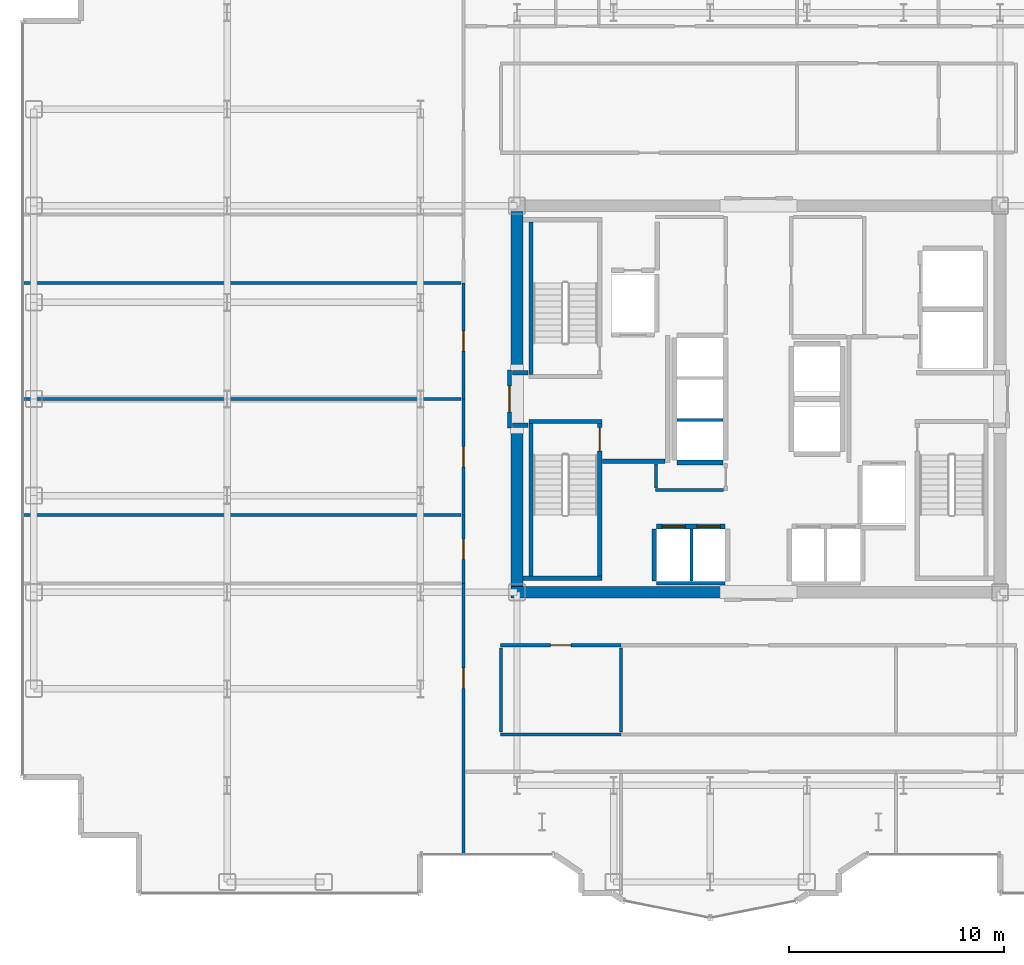
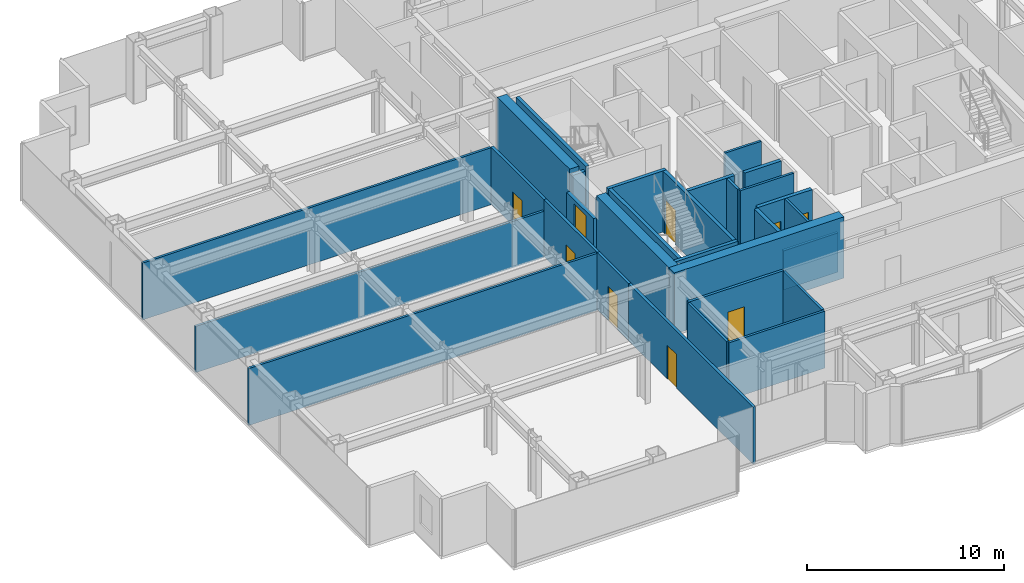
# One storey, part 17 of 23: 31 walls, 9 doors, 9 openings.
"""IFC4 building model written with IfcOpenShell, lengths in metres."""

from ifc_helpers import new_model, si_unit, direction, frame, frame_2d, origin, place, context, subcontext, project, spatial, rectangle, extrude, source, transform, mapped, material, layer, layer_set, type_object, element, fill, save


model = new_model("IFC4")

# Units and contexts
model_context = context("Model", 3, precision=1e-05, world=origin(), true_north=direction((0.0, 1.0)))
body_context = subcontext(model_context, "Body", "Model", "MODEL_VIEW")
ifc_project = project(units=[si_unit("LENGTHUNIT", "METRE"), si_unit("AREAUNIT", "SQUARE_METRE"), si_unit("VOLUMEUNIT", "CUBIC_METRE"), si_unit("PLANEANGLEUNIT", "RADIAN"), si_unit("MASSUNIT", "GRAM", prefix="KILO")], contexts=[model_context])

# Site, building, storey
site_placement = place(None, origin())
site = spatial("IfcSite", under=ifc_project, at=site_placement, CompositionType="ELEMENT")
building_placement = place(site_placement, origin())
building = spatial("IfcBuilding", under=site, at=building_placement, Name="Nefas-Gora Pilgrimage Tower", CompositionType="ELEMENT")
storey_placement = place(building_placement, frame((0.0, 0.0, 190.60009765625)))
storey = spatial("IfcBuildingStorey", under=building, at=storey_placement, Name="L47", CompositionType="ELEMENT", Elevation=190.60009765625)

# Walls
ifc_material_1 = material(Name="Concrete C60/75", Category="concrete")
ifc_layer_1 = layer(ifc_material_1, 0.550048828125)
ifc_layer_set_1 = layer_set([ifc_layer_1], Name="Concrete C60/75")
wall_type_1 = type_object("IfcWallType", Name="SW-CORE-550", PredefinedType="SHEAR", material=ifc_layer_set_1)
shared_shape_1 = source(origin(), body_context, "Body", "SweptSolid", [
    extrude(rectangle(XDim=9.974853515625, YDim=0.550048828125, at=frame_2d((4.9873046875, 0.0))), origin(), (0.0, 0.0, 1.0), 3.7998046875),
])
wall_1_placement = place(storey_placement, frame((-11.52490234375, -9.0, 0.0), z_axis=(0.0, 0.0, 1.0), x_axis=(1.0, 0.0, 0.0)))
element("IfcWall", 1, at=wall_1_placement, inside=storey, type_object=wall_type_1, Name="L47 Core Shear Wall S-West", PredefinedType="SHEAR", context=body_context, shape_type="MappedRepresentation", body=[
    mapped(shared_shape_1, transform((0.0, 0.0, 0.0), x_axis=(1.0, 0.0, 0.0), y_axis=(0.0, 1.0, 0.0), z_axis=(0.0, 0.0, 1.0), scale=1.0)),
])
shared_shape_2 = source(origin(), body_context, "Body", "SweptSolid", [
    extrude(rectangle(XDim=7.375, YDim=0.550048828125, at=frame_2d((3.6875, 0.0))), origin(), (0.0, 0.0, 1.0), 3.7998046875),
])
for number, where, z_axis, x_axis, name in (
    (2, (-11.25, -8.72509765625, 0.0), (0.0, 0.0, 1.0), (0.0, 1.0, 0.0), "L47 Core Shear Wall W-South"),
    (3, (-11.25, 1.35009765625, 0.0), (0.0, 0.0, 1.0), (0.0, 1.0, 0.0), "L47 Core Shear Wall W-North"),
):
    element("IfcWall", number, at=place(storey_placement, frame(where, z_axis=z_axis, x_axis=x_axis)), inside=storey, type_object=wall_type_1, Name=name, PredefinedType="SHEAR", context=body_context, shape_type="MappedRepresentation", body=[
        mapped(shared_shape_2, transform((0.0, 0.0, 0.0), x_axis=(1.0, 0.0, 0.0), y_axis=(0.0, 1.0, 0.0), z_axis=(0.0, 0.0, 1.0), scale=1.0)),
    ])
ifc_material_2 = material(Name="Concrete C45/55", Category="concrete")
ifc_layer_2 = layer(ifc_material_2, 0.199951171875)
ifc_layer_set_2 = layer_set([ifc_layer_2], Name="Concrete C45/55")
wall_type_2 = type_object("IfcWallType", Name="IW-STAIR-200", PredefinedType="SOLIDWALL", material=ifc_layer_set_2)
shared_shape_3 = source(origin(), body_context, "Body", "SweptSolid", [
    extrude(rectangle(XDim=3.39990234375, YDim=0.199951171875, at=frame_2d((1.699951171875, 0.0))), origin(), (0.0, 0.0, 1.0), 3.7998046875),
])
wall_2_placement = place(storey_placement, frame((-10.699951171875, -1.050048828125, 0.0), z_axis=(0.0, 0.0, 1.0), x_axis=(1.0, 0.0, 0.0)))
element("IfcWall", 4, at=wall_2_placement, inside=storey, type_object=wall_type_2, Name="L47 Stairwell Shear Wall ST-03-near", PredefinedType="SOLIDWALL", context=body_context, shape_type="MappedRepresentation", body=[
    mapped(shared_shape_3, transform((0.0, 0.0, 0.0), x_axis=(1.0, 0.0, 0.0), y_axis=(0.0, 1.0, 0.0), z_axis=(0.0, 0.0, 1.0), scale=1.0)),
])
shared_shape_4 = source(origin(), body_context, "Body", "SweptSolid", [
    extrude(rectangle(XDim=7.10009765625, YDim=0.199951171875, at=frame_2d((3.550048828125, 0.0))), origin(), (0.0, 0.0, 1.0), 3.7998046875),
])
for number, where, z_axis, x_axis, name in (
    (5, (-10.60009765625, 1.14990234375, 0.0), (0.0, 0.0, 1.0), (0.0, 1.0, 0.0), "L47 Stairwell Shear Wall ST-01-right"),
    (6, (-10.60009765625, -1.14990234375, 0.0), (0.0, 0.0, 1.0), (0.0, -1.0, 0.0), "L47 Stairwell Shear Wall ST-03-left"),
):
    element("IfcWall", number, at=place(storey_placement, frame(where, z_axis=z_axis, x_axis=x_axis)), inside=storey, type_object=wall_type_2, Name=name, PredefinedType="SOLIDWALL", context=body_context, shape_type="MappedRepresentation", body=[
        mapped(shared_shape_4, transform((0.0, 0.0, 0.0), x_axis=(1.0, 0.0, 0.0), y_axis=(0.0, 1.0, 0.0), z_axis=(0.0, 0.0, 1.0), scale=1.0)),
    ])

# Wall, opening, door
wall_3_placement = place(storey_placement, frame((-7.39990234375, -1.14990234375, 0.0), z_axis=(0.0, 0.0, 1.0), x_axis=(0.0, -1.0, 0.0)))
wall_3 = element("IfcWall", 7, at=wall_3_placement, inside=storey, type_object=wall_type_2, Name="L47 Stairwell Shear Wall ST-03-right", PredefinedType="SOLIDWALL", context=body_context, shape_type="MappedRepresentation", body=[
    mapped(shared_shape_4, transform((0.0, 0.0, 0.0), x_axis=(1.0, 0.0, 0.0), y_axis=(0.0, 1.0, 0.0), z_axis=(0.0, 0.0, 1.0), scale=1.0)),
])
opening_1_placement = place(wall_3_placement, frame((0.179931640625, 0.0, 0.0)))
opening_1 = element("IfcOpeningElement", 8, at=opening_1_placement, cuts=wall_3, Name="Opening ID-ST1", PredefinedType="OPENING", context=body_context, shape_type="SweptSolid", body=[
    extrude(rectangle(XDim=1.10009765625, YDim=2.14990234375, at=frame_2d((0.550048828125, 1.074951171875))), frame((0.0, 0.10986328125, 0.0), z_axis=(0.0, -1.0, 0.0), x_axis=(1.0, 0.0, 0.0)), (0.0, 0.0, 1.0), 0.219970703125),
])
ifc_material_3 = material(Name="Painted galvanised steel fire stair door", Category="steel")
door_type_1 = type_object("IfcDoorType", Name="DR-INT-STAIR-1100", OperationType="NOTDEFINED", PredefinedType="DOOR", material=ifc_material_3)
shared_shape_5 = source(origin(), body_context, "Body", "SweptSolid", [
    extrude(rectangle(XDim=1.10009765625, YDim=2.14990234375, at=frame_2d((0.550048828125, 1.074951171875))), frame((0.0, 0.02490234375, 0.0), z_axis=(0.0, -1.0, 0.0), x_axis=(1.0, 0.0, 0.0)), (0.0, 0.0, 1.0), 0.050048828125),
])
door_1_placement = place(opening_1_placement, origin())
door_1 = element("IfcDoor", 9, at=door_1_placement, inside=storey, type_object=door_type_1, Name="L47 Protected Exit Stair Door ST-03", OperationType="SINGLE_SWING_LEFT", OverallHeight=2.14990234375, OverallWidth=1.10009765625, PredefinedType="DOOR", context=body_context, shape_type="MappedRepresentation", body=[
    mapped(shared_shape_5, transform((0.0, 0.0, 0.0), x_axis=(1.0, 0.0, 0.0), y_axis=(0.0, 1.0, 0.0), z_axis=(0.0, 0.0, 1.0), scale=1.0)),
])
fill(opening_1, door_1)

# Wall
shared_shape_6 = source(origin(), body_context, "Body", "SweptSolid", [
    extrude(rectangle(XDim=3.679931640625, YDim=0.199951171875, at=frame_2d((1.83984375, 0.0))), origin(), (0.0, 0.0, 1.0), 3.7998046875),
])
wall_4_placement = place(storey_placement, frame((-10.97998046875, -8.35009765625, 0.0), z_axis=(0.0, 0.0, 1.0), x_axis=(1.0, 0.0, 0.0)))
element("IfcWall", 10, at=wall_4_placement, inside=storey, type_object=wall_type_2, Name="L47 Stairwell Shear Wall ST-03-far", PredefinedType="SOLIDWALL", context=body_context, shape_type="MappedRepresentation", body=[
    mapped(shared_shape_6, transform((0.0, 0.0, 0.0), x_axis=(1.0, 0.0, 0.0), y_axis=(0.0, 1.0, 0.0), z_axis=(0.0, 0.0, 1.0), scale=1.0)),
])

# Wall, openings, doors
ifc_material_4 = material(Name="Concrete C40/50", Category="concrete")
ifc_layer_3 = layer(ifc_material_4, 0.219970703125)
ifc_layer_set_3 = layer_set([ifc_layer_3], Name="Concrete C40/50")
wall_type_3 = type_object("IfcWallType", Name="IW-SHAFT-220", PredefinedType="SOLIDWALL", material=ifc_layer_set_3)
shared_shape_7 = source(origin(), body_context, "Body", "SweptSolid", [
    extrude(rectangle(XDim=3.199951171875, YDim=0.219970703125, at=frame_2d((1.60009765625, 0.0))), origin(), (0.0, 0.0, 1.0), 3.534912109375),
])
wall_5_placement = place(storey_placement, frame((-1.550048828125, -5.93994140625, 0.0), z_axis=(0.0, 0.0, 1.0), x_axis=(-1.0, 0.0, 0.0)))
wall_5 = element("IfcWall", 11, at=wall_5_placement, inside=storey, type_object=wall_type_3, Name="L47 Hoistway Wall PL2-W-N", PredefinedType="SOLIDWALL", context=body_context, shape_type="MappedRepresentation", body=[
    mapped(shared_shape_7, transform((0.0, 0.0, 0.0), x_axis=(1.0, 0.0, 0.0), y_axis=(0.0, 1.0, 0.0), z_axis=(0.0, 0.0, 1.0), scale=1.0)),
])
opening_2_placement = place(wall_5_placement, frame((1.85009765625, 0.0, 0.0)))
opening_2 = element("IfcOpeningElement", 12, at=opening_2_placement, cuts=wall_5, Name="Opening LD-01", PredefinedType="OPENING", context=body_context, shape_type="SweptSolid", body=[
    extrude(rectangle(XDim=1.10009765625, YDim=2.199951171875, at=frame_2d((0.550048828125, 1.10009765625))), frame((0.0, 0.119873046875, 0.0), z_axis=(0.0, -1.0, 0.0), x_axis=(1.0, 0.0, 0.0)), (0.0, 0.0, 1.0), 0.239990234375),
])
opening_3_placement = place(wall_5_placement, frame((0.22509765625, 0.0, 0.0)))
opening_3 = element("IfcOpeningElement", 13, at=opening_3_placement, cuts=wall_5, Name="Opening LD-01", PredefinedType="OPENING", context=body_context, shape_type="SweptSolid", body=[
    extrude(rectangle(XDim=1.10009765625, YDim=2.199951171875, at=frame_2d((0.550048828125, 1.10009765625))), frame((0.0, 0.119873046875, 0.0), z_axis=(0.0, -1.0, 0.0), x_axis=(1.0, 0.0, 0.0)), (0.0, 0.0, 1.0), 0.239990234375),
])
ifc_material_5 = material(Name="Brushed stainless sliding lift landing door")
door_type_2 = type_object("IfcDoorType", Name="DR-LIFT-PASS-1100", OperationType="DOUBLE_DOOR_SLIDING", PredefinedType="DOOR", material=ifc_material_5)
shared_shape_8 = source(origin(), body_context, "Body", "SweptSolid", [
    extrude(rectangle(XDim=1.10009765625, YDim=2.199951171875, at=frame_2d((0.550048828125, 1.10009765625))), frame((0.0, 0.02490234375, 0.0), z_axis=(0.0, -1.0, 0.0), x_axis=(1.0, 0.0, 0.0)), (0.0, 0.0, 1.0), 0.050048828125),
])
door_2_placement = place(opening_2_placement, origin())
door_2 = element("IfcDoor", 14, at=door_2_placement, inside=storey, type_object=door_type_2, Name="L47 Sliding Lift Landing Door PL2-01", OperationType="DOUBLE_DOOR_SLIDING", OverallHeight=2.199951171875, OverallWidth=1.10009765625, PredefinedType="DOOR", context=body_context, shape_type="MappedRepresentation", body=[
    mapped(shared_shape_8, transform((0.0, 0.0, 0.0), x_axis=(1.0, 0.0, 0.0), y_axis=(0.0, 1.0, 0.0), z_axis=(0.0, 0.0, 1.0), scale=1.0)),
])
fill(opening_2, door_2)
door_3_placement = place(opening_3_placement, origin())
door_3 = element("IfcDoor", 15, at=door_3_placement, inside=storey, type_object=door_type_2, Name="L47 Sliding Lift Landing Door PL2-02", OperationType="DOUBLE_DOOR_SLIDING", OverallHeight=2.199951171875, OverallWidth=1.10009765625, PredefinedType="DOOR", context=body_context, shape_type="MappedRepresentation", body=[
    mapped(shared_shape_8, transform((0.0, 0.0, 0.0), x_axis=(1.0, 0.0, 0.0), y_axis=(0.0, 1.0, 0.0), z_axis=(0.0, 0.0, 1.0), scale=1.0)),
])
fill(opening_3, door_3)

# Walls
shared_shape_9 = source(origin(), body_context, "Body", "SweptSolid", [
    extrude(rectangle(XDim=2.429931640625, YDim=0.219970703125, at=frame_2d((1.21484375, 0.0))), origin(), (0.0, 0.0, 1.0), 3.534912109375),
])
wall_6_placement = place(storey_placement, frame((-4.860107421875, -6.06005859375, 0.0), z_axis=(0.0, 0.0, 1.0), x_axis=(0.0, -1.0, 0.0)))
element("IfcWall", 16, at=wall_6_placement, inside=storey, type_object=wall_type_3, Name="L47 Hoistway Wall PL2-W-W", PredefinedType="SOLIDWALL", context=body_context, shape_type="MappedRepresentation", body=[
    mapped(shared_shape_9, transform((0.0, 0.0, 0.0), x_axis=(1.0, 0.0, 0.0), y_axis=(0.0, 1.0, 0.0), z_axis=(0.0, 0.0, 1.0), scale=1.0)),
])
ifc_material_6 = material(Name="Gypsum twin-stud partition")
ifc_layer_4 = layer(ifc_material_6, 0.139892578125)
ifc_layer_set_4 = layer_set([ifc_layer_4], Name="Gypsum twin-stud partition")
wall_type_4 = type_object("IfcWallType", Name="IW-UNIT-140", PredefinedType="PARTITIONING", material=ifc_layer_set_4)
shared_shape_10 = source(origin(), body_context, "Body", "SweptSolid", [
    extrude(rectangle(XDim=2.429931640625, YDim=0.139892578125, at=frame_2d((1.21484375, 0.0))), origin(), (0.0, 0.0, 1.0), 3.534912109375),
])
wall_7_placement = place(storey_placement, frame((-3.125, -8.489990234375, 0.0), z_axis=(0.0, 0.0, 1.0), x_axis=(0.0, 1.0, 0.0)))
element("IfcWall", 17, at=wall_7_placement, inside=storey, type_object=wall_type_4, Name="L47 Hoistway Wall PL2-W-DIV", PredefinedType="PARTITIONING", context=body_context, shape_type="MappedRepresentation", body=[
    mapped(shared_shape_10, transform((0.0, 0.0, 0.0), x_axis=(1.0, 0.0, 0.0), y_axis=(0.0, 1.0, 0.0), z_axis=(0.0, 0.0, 1.0), scale=1.0)),
])
shared_shape_11 = source(origin(), body_context, "Body", "SweptSolid", [
    extrude(rectangle(XDim=2.130126953125, YDim=0.219970703125, at=frame_2d((1.06494140625, 0.0))), origin(), (0.0, 0.0, 1.0), 3.534912109375),
])
wall_8_placement = place(storey_placement, frame((-3.7900390625, -2.9599609375, 0.0), z_axis=(0.0, 0.0, 1.0), x_axis=(1.0, 0.0, 0.0)))
element("IfcWall", 18, at=wall_8_placement, inside=storey, type_object=wall_type_3, Name="L47 Hoistway Wall PL3-01-S", PredefinedType="SOLIDWALL", context=body_context, shape_type="MappedRepresentation", body=[
    mapped(shared_shape_11, transform((0.0, 0.0, 0.0), x_axis=(1.0, 0.0, 0.0), y_axis=(0.0, 1.0, 0.0), z_axis=(0.0, 0.0, 1.0), scale=1.0)),
])
shared_shape_12 = source(origin(), body_context, "Body", "SweptSolid", [
    extrude(rectangle(XDim=2.130126953125, YDim=0.139892578125, at=frame_2d((1.06494140625, 0.0))), origin(), (0.0, 0.0, 1.0), 3.534912109375),
])
wall_9_placement = place(storey_placement, frame((-3.7900390625, -0.97509765625, 0.0), z_axis=(0.0, 0.0, 1.0), x_axis=(1.0, 0.0, 0.0)))
element("IfcWall", 19, at=wall_9_placement, inside=storey, type_object=wall_type_4, Name="L47 Hoistway Wall PL3-01-02-DIV", PredefinedType="PARTITIONING", context=body_context, shape_type="MappedRepresentation", body=[
    mapped(shared_shape_12, transform((0.0, 0.0, 0.0), x_axis=(1.0, 0.0, 0.0), y_axis=(0.0, 1.0, 0.0), z_axis=(0.0, 0.0, 1.0), scale=1.0)),
])
ifc_material_7 = material(Name="Gypsum acoustic stud partition")
ifc_layer_5 = layer(ifc_material_7, 0.159912109375)
ifc_layer_set_5 = layer_set([ifc_layer_5], Name="Gypsum acoustic stud partition")
wall_type_5 = type_object("IfcWallType", Name="IW-CORR-160", PredefinedType="PARTITIONING", material=ifc_layer_set_5)
shared_shape_13 = source(origin(), body_context, "Body", "SweptSolid", [
    extrude(rectangle(XDim=3.199951171875, YDim=0.159912109375, at=frame_2d((1.60009765625, 0.0))), origin(), (0.0, 0.0, 1.0), 2.4248046875),
])
wall_10_placement = place(storey_placement, frame((-4.75, -8.580078125, 0.0), z_axis=(0.0, 0.0, 1.0), x_axis=(1.0, 0.0, 0.0)))
element("IfcWall", 20, at=wall_10_placement, inside=storey, type_object=wall_type_5, Name="L47 Hoistway Wall PL2-W-S", PredefinedType="PARTITIONING", context=body_context, shape_type="MappedRepresentation", body=[
    mapped(shared_shape_13, transform((0.0, 0.0, 0.0), x_axis=(1.0, 0.0, 0.0), y_axis=(0.0, 1.0, 0.0), z_axis=(0.0, 0.0, 1.0), scale=1.0)),
])
ifc_material_8 = material(Name="Gypsum fire-rated shaftwall")
ifc_layer_6 = layer(ifc_material_8, 0.199951171875)
ifc_layer_set_6 = layer_set([ifc_layer_6], Name="Gypsum fire-rated shaftwall")
wall_type_6 = type_object("IfcWallType", Name="IW-FFLOB-200", PredefinedType="PARTITIONING", material=ifc_layer_set_6)
shared_shape_14 = source(origin(), body_context, "Body", "SweptSolid", [
    extrude(rectangle(XDim=2.89990234375, YDim=0.199951171875, at=frame_2d((1.449951171875, 0.0))), origin(), (0.0, 0.0, 1.0), 3.534912109375),
])
wall_11_placement = place(storey_placement, frame((-7.260009765625, -2.89990234375, 0.0), z_axis=(0.0, 0.0, 1.0), x_axis=(1.0, 0.0, 0.0)))
element("IfcWall", 21, at=wall_11_placement, inside=storey, type_object=wall_type_6, Name="L47 FF Lobby West South Wall Wall 6", PredefinedType="PARTITIONING", context=body_context, shape_type="MappedRepresentation", body=[
    mapped(shared_shape_14, transform((0.0, 0.0, 0.0), x_axis=(1.0, 0.0, 0.0), y_axis=(0.0, 1.0, 0.0), z_axis=(0.0, 0.0, 1.0), scale=1.0)),
])
shared_shape_15 = source(origin(), body_context, "Body", "SweptSolid", [
    extrude(rectangle(XDim=0.719970703125, YDim=0.199951171875, at=frame_2d((0.35986328125, 0.0))), origin(), (0.0, 0.0, 1.0), 3.534912109375),
])
for number, where, z_axis, x_axis, name in (
    (22, (-11.4599609375, 1.219970703125, 0.0), (0.0, 0.0, 1.0), (1.0, 0.0, 0.0), "L47 FF Lobby West Throat N Wall 7"),
    (23, (-11.4599609375, -1.219970703125, 0.0), (0.0, 0.0, 1.0), (1.0, 0.0, 0.0), "L47 FF Lobby West Throat S Wall 8"),
):
    element("IfcWall", number, at=place(storey_placement, frame(where, z_axis=z_axis, x_axis=x_axis)), inside=storey, type_object=wall_type_6, Name=name, PredefinedType="PARTITIONING", context=body_context, shape_type="MappedRepresentation", body=[
        mapped(shared_shape_15, transform((0.0, 0.0, 0.0), x_axis=(1.0, 0.0, 0.0), y_axis=(0.0, 1.0, 0.0), z_axis=(0.0, 0.0, 1.0), scale=1.0)),
    ])
shared_shape_16 = source(origin(), body_context, "Body", "SweptSolid", [
    extrude(rectangle(XDim=20.429931640625, YDim=0.139892578125, at=frame_2d((10.21484375, 0.0))), origin(), (0.0, 0.0, 1.0), 3.534912109375),
])
for number, where, z_axis, x_axis, name in (
    (24, (-34.2900390625, -5.405029296875, 0.0), (0.0, 0.0, 1.0), (1.0, 0.0, 0.0), "L47 Pilgrim Floor Concierge Foyer Partition Wall 31"),
    (25, (-34.2900390625, 5.39501953125, 0.0), (0.0, 0.0, 1.0), (1.0, 0.0, 0.0), "L47 Pilgrim Tea and Beverage Pantry Partition Wall 35"),
):
    element("IfcWall", number, at=place(storey_placement, frame(where, z_axis=z_axis, x_axis=x_axis)), inside=storey, type_object=wall_type_4, Name=name, PredefinedType="PARTITIONING", context=body_context, shape_type="MappedRepresentation", body=[
        mapped(shared_shape_16, transform((0.0, 0.0, 0.0), x_axis=(1.0, 0.0, 0.0), y_axis=(0.0, 1.0, 0.0), z_axis=(0.0, 0.0, 1.0), scale=1.0)),
    ])

# Wall, opening, door
shared_shape_17 = source(origin(), body_context, "Body", "SweptSolid", [
    extrude(rectangle(XDim=2.7001953125, YDim=0.199951171875, at=frame_2d((1.35009765625, 0.0))), origin(), (0.0, 0.0, 1.0), 2.4248046875),
])
wall_12_placement = place(storey_placement, frame((-11.60009765625, -1.35009765625, 0.0), z_axis=(0.0, 0.0, 1.0), x_axis=(0.0, 1.0, 0.0)))
wall_12 = element("IfcWall", 26, at=wall_12_placement, inside=storey, type_object=wall_type_6, Name="L47 FF Lobby West Portal Wall 4", PredefinedType="PARTITIONING", context=body_context, shape_type="MappedRepresentation", body=[
    mapped(shared_shape_17, transform((0.0, 0.0, 0.0), x_axis=(1.0, 0.0, 0.0), y_axis=(0.0, 1.0, 0.0), z_axis=(0.0, 0.0, 1.0), scale=1.0)),
])
opening_4_placement = place(wall_12_placement, frame((0.75, 0.0, 0.0)))
opening_4 = element("IfcOpeningElement", 27, at=opening_4_placement, cuts=wall_12, Name="Opening ID-FF1", PredefinedType="OPENING", context=body_context, shape_type="SweptSolid", body=[
    extrude(rectangle(XDim=1.199951171875, YDim=2.14990234375, at=frame_2d((0.60009765625, 1.074951171875))), frame((0.0, 0.10986328125, 0.0), z_axis=(0.0, -1.0, 0.0), x_axis=(1.0, 0.0, 0.0)), (0.0, 0.0, 1.0), 0.219970703125),
])
ifc_material_9 = material(Name="Smoke-sealed steel firefighting lobby door", Category="steel")
door_type_3 = type_object("IfcDoorType", Name="DR-INT-FFLOB-1200", OperationType="NOTDEFINED", PredefinedType="DOOR", material=ifc_material_9)
shared_shape_18 = source(origin(), body_context, "Body", "SweptSolid", [
    extrude(rectangle(XDim=1.199951171875, YDim=2.14990234375, at=frame_2d((0.60009765625, 1.074951171875))), frame((0.0, 0.02490234375, 0.0), z_axis=(0.0, -1.0, 0.0), x_axis=(1.0, 0.0, 0.0)), (0.0, 0.0, 1.0), 0.050048828125),
])
door_4_placement = place(opening_4_placement, origin())
door_4 = element("IfcDoor", 28, at=door_4_placement, inside=storey, type_object=door_type_3, Name="L47 FF Lobby West Portal Door 2", OperationType="SINGLE_SWING_LEFT", OverallHeight=2.14990234375, OverallWidth=1.199951171875, PredefinedType="DOOR", context=body_context, shape_type="MappedRepresentation", body=[
    mapped(shared_shape_18, transform((0.0, 0.0, 0.0), x_axis=(1.0, 0.0, 0.0), y_axis=(0.0, 1.0, 0.0), z_axis=(0.0, 0.0, 1.0), scale=1.0)),
])
fill(opening_4, door_4)

# Wall
shared_shape_19 = source(origin(), body_context, "Body", "SweptSolid", [
    extrude(rectangle(XDim=3.150146484375, YDim=0.139892578125, at=frame_2d((1.5751953125, 0.0))), origin(), (0.0, 0.0, 1.0), 3.534912109375),
])
wall_13_placement = place(storey_placement, frame((-4.7900390625, -4.25, 0.0), z_axis=(0.0, 0.0, 1.0), x_axis=(1.0, 0.0, 0.0)))
element("IfcWall", 29, at=wall_13_placement, inside=storey, type_object=wall_type_4, Name="L47 Pilgrim Baggage and Gear Vault Partition Wall 21", PredefinedType="PARTITIONING", context=body_context, shape_type="MappedRepresentation", body=[
    mapped(shared_shape_19, transform((0.0, 0.0, 0.0), x_axis=(1.0, 0.0, 0.0), y_axis=(0.0, 1.0, 0.0), z_axis=(0.0, 0.0, 1.0), scale=1.0)),
])

# Wall, opening, door
shared_shape_20 = source(origin(), body_context, "Body", "SweptSolid", [
    extrude(rectangle(XDim=12.64501953125, YDim=0.159912109375, at=frame_2d((6.322509765625, 0.0))), origin(), (0.0, 0.0, 1.0), 3.534912109375),
])
wall_14_placement = place(storey_placement, frame((-13.739990234375, -21.239990234375, 0.0), z_axis=(0.0, 0.0, 1.0), x_axis=(0.0, 1.0, 0.0)))
wall_14 = element("IfcWall", 30, at=wall_14_placement, inside=storey, type_object=wall_type_5, Name="L47 Pilgrim Floor Concierge Foyer Partition Wall 28", PredefinedType="PARTITIONING", context=body_context, shape_type="MappedRepresentation", body=[
    mapped(shared_shape_20, transform((0.0, 0.0, 0.0), x_axis=(1.0, 0.0, 0.0), y_axis=(0.0, 1.0, 0.0), z_axis=(0.0, 0.0, 1.0), scale=1.0)),
])
opening_5_placement = place(wall_14_placement, frame((7.762451171875, 0.0, 0.0)))
opening_5 = element("IfcOpeningElement", 31, at=opening_5_placement, cuts=wall_14, Name="Opening ID-GR1", PredefinedType="OPENING", context=body_context, shape_type="SweptSolid", body=[
    extrude(rectangle(XDim=0.949951171875, YDim=2.10009765625, at=frame_2d((0.47509765625, 1.050048828125))), frame((0.0, 0.08984375, 0.0), z_axis=(0.0, -1.0, 0.0), x_axis=(1.0, 0.0, 0.0)), (0.0, 0.0, 1.0), 0.179931640625),
])
ifc_material_10 = material(Name="Solid core oak fire-rated guest entrance door")
door_type_4 = type_object("IfcDoorType", Name="DR-INT-GUEST-950", OperationType="NOTDEFINED", PredefinedType="DOOR", material=ifc_material_10)
shared_shape_21 = source(origin(), body_context, "Body", "SweptSolid", [
    extrude(rectangle(XDim=0.949951171875, YDim=2.10009765625, at=frame_2d((0.47509765625, 1.050048828125))), frame((0.0, 0.02490234375, 0.0), z_axis=(0.0, -1.0, 0.0), x_axis=(1.0, 0.0, 0.0)), (0.0, 0.0, 1.0), 0.050048828125),
])
door_5_placement = place(opening_5_placement, origin())
door_5 = element("IfcDoor", 32, at=door_5_placement, inside=storey, type_object=door_type_4, Name="L47 Pilgrim Floor Concierge Foyer Door 11", OperationType="SINGLE_SWING_RIGHT", OverallHeight=2.10009765625, OverallWidth=0.949951171875, PredefinedType="DOOR", context=body_context, shape_type="MappedRepresentation", body=[
    mapped(shared_shape_21, transform((0.0, 0.0, 0.0), x_axis=(1.0, 0.0, 0.0), y_axis=(0.0, 1.0, 0.0), z_axis=(0.0, 0.0, 1.0), scale=1.0)),
])
fill(opening_5, door_5)

shared_shape_22 = source(origin(), body_context, "Body", "SweptSolid", [
    extrude(rectangle(XDim=3.2099609375, YDim=0.159912109375, at=frame_2d((1.60498046875, 0.0))), origin(), (0.0, 0.0, 1.0), 3.534912109375),
])
wall_15_placement = place(storey_placement, frame((-13.739990234375, -8.60498046875, 0.0), z_axis=(0.0, 0.0, 1.0), x_axis=(0.0, 1.0, 0.0)))
wall_15 = element("IfcWall", 33, at=wall_15_placement, inside=storey, type_object=wall_type_5, Name="L47 Pilgrim Floor Concierge Foyer Partition Wall 30", PredefinedType="PARTITIONING", context=body_context, shape_type="MappedRepresentation", body=[
    mapped(shared_shape_22, transform((0.0, 0.0, 0.0), x_axis=(1.0, 0.0, 0.0), y_axis=(0.0, 1.0, 0.0), z_axis=(0.0, 0.0, 1.0), scale=1.0)),
])
opening_6_placement = place(wall_15_placement, frame((1.1298828125, 0.0, 0.0)))
opening_6 = element("IfcOpeningElement", 34, at=opening_6_placement, cuts=wall_15, Name="Opening ID-GR1", PredefinedType="OPENING", context=body_context, shape_type="SweptSolid", body=[
    extrude(rectangle(XDim=0.949951171875, YDim=2.10009765625, at=frame_2d((0.47509765625, 1.050048828125))), frame((0.0, 0.08984375, 0.0), z_axis=(0.0, -1.0, 0.0), x_axis=(1.0, 0.0, 0.0)), (0.0, 0.0, 1.0), 0.179931640625),
])
door_6_placement = place(opening_6_placement, origin())
door_6 = element("IfcDoor", 35, at=door_6_placement, inside=storey, type_object=door_type_4, Name="L47 Pilgrim Floor Concierge Foyer Door 12", OperationType="SINGLE_SWING_LEFT", OverallHeight=2.10009765625, OverallWidth=0.949951171875, PredefinedType="DOOR", context=body_context, shape_type="MappedRepresentation", body=[
    mapped(shared_shape_21, transform((0.0, 0.0, 0.0), x_axis=(1.0, 0.0, 0.0), y_axis=(0.0, 1.0, 0.0), z_axis=(0.0, 0.0, 1.0), scale=1.0)),
])
fill(opening_6, door_6)

# Walls
shared_shape_23 = source(origin(), body_context, "Body", "SweptSolid", [
    extrude(rectangle(XDim=20.429931640625, YDim=0.139892578125, at=frame_2d((10.21484375, 0.0))), origin(), (0.0, 0.0, 1.0), 2.875),
])
wall_16_placement = place(storey_placement, frame((-34.2900390625, -0.0048828125, 0.0), z_axis=(0.0, 0.0, 1.0), x_axis=(1.0, 0.0, 0.0)))
element("IfcWall", 36, at=wall_16_placement, inside=storey, type_object=wall_type_4, Name="L47 Pilgrim Floor Concierge Foyer Partition Wall 33", PredefinedType="PARTITIONING", context=body_context, shape_type="MappedRepresentation", body=[
    mapped(shared_shape_23, transform((0.0, 0.0, 0.0), x_axis=(1.0, 0.0, 0.0), y_axis=(0.0, 1.0, 0.0), z_axis=(0.0, 0.0, 1.0), scale=1.0)),
])
shared_shape_24 = source(origin(), body_context, "Body", "SweptSolid", [
    extrude(rectangle(XDim=1.099853515625, YDim=0.139892578125, at=frame_2d((0.5498046875, 0.0))), origin(), (0.0, 0.0, 1.0), 3.534912109375),
])
wall_17_placement = place(storey_placement, frame((-4.780029296875, -4.139892578125, 0.0), z_axis=(0.0, 0.0, 1.0), x_axis=(0.0, 1.0, 0.0)))
element("IfcWall", 37, at=wall_17_placement, inside=storey, type_object=wall_type_4, Name="L47 Pilgrim Baggage and Gear Vault Partition Wall 22", PredefinedType="PARTITIONING", context=body_context, shape_type="MappedRepresentation", body=[
    mapped(shared_shape_24, transform((0.0, 0.0, 0.0), x_axis=(1.0, 0.0, 0.0), y_axis=(0.0, 1.0, 0.0), z_axis=(0.0, 0.0, 1.0), scale=1.0)),
])
shared_shape_25 = source(origin(), body_context, "Body", "SweptSolid", [
    extrude(rectangle(XDim=3.929931640625, YDim=0.139892578125, at=frame_2d((1.96484375, 0.0))), origin(), (0.0, 0.0, 1.0), 3.534912109375),
])
for number, where, z_axis, x_axis, name in (
    (38, (-12.0, -15.52001953125, 0.0), (0.0, 0.0, 1.0), (0.0, 1.0, 0.0), "L47 Pilgrim Contemplative Lounge Partition Wall 68"),
    (39, (-6.405029296875, -15.52001953125, 0.0), (0.0, 0.0, 1.0), (0.0, 1.0, 0.0), "L47 Pilgrim Contemplative Lounge Partition Wall 69"),
):
    element("IfcWall", number, at=place(storey_placement, frame(where, z_axis=z_axis, x_axis=x_axis)), inside=storey, type_object=wall_type_4, Name=name, PredefinedType="PARTITIONING", context=body_context, shape_type="MappedRepresentation", body=[
        mapped(shared_shape_25, transform((0.0, 0.0, 0.0), x_axis=(1.0, 0.0, 0.0), y_axis=(0.0, 1.0, 0.0), z_axis=(0.0, 0.0, 1.0), scale=1.0)),
    ])

# Wall, opening, door
shared_shape_26 = source(origin(), body_context, "Body", "SweptSolid", [
    extrude(rectangle(XDim=5.409912109375, YDim=0.159912109375, at=frame_2d((2.705078125, 0.0))), origin(), (0.0, 0.0, 1.0), 3.534912109375),
])
wall_18_placement = place(storey_placement, frame((-13.739990234375, -5.405029296875, 0.0), z_axis=(0.0, 0.0, 1.0), x_axis=(0.0, 1.0, 0.0)))
wall_18 = element("IfcWall", 40, at=wall_18_placement, inside=storey, type_object=wall_type_5, Name="L47 Pilgrim Floor Concierge Foyer Partition Wall 32", PredefinedType="PARTITIONING", context=body_context, shape_type="MappedRepresentation", body=[
    mapped(shared_shape_26, transform((0.0, 0.0, 0.0), x_axis=(1.0, 0.0, 0.0), y_axis=(0.0, 1.0, 0.0), z_axis=(0.0, 0.0, 1.0), scale=1.0)),
])
opening_7_placement = place(wall_18_placement, frame((2.22998046875, 0.0, 0.0)))
opening_7 = element("IfcOpeningElement", 41, at=opening_7_placement, cuts=wall_18, Name="Opening ID-GR1", PredefinedType="OPENING", context=body_context, shape_type="SweptSolid", body=[
    extrude(rectangle(XDim=0.949951171875, YDim=2.10009765625, at=frame_2d((0.47509765625, 1.050048828125))), frame((0.0, 0.08984375, 0.0), z_axis=(0.0, -1.0, 0.0), x_axis=(1.0, 0.0, 0.0)), (0.0, 0.0, 1.0), 0.179931640625),
])
door_7_placement = place(opening_7_placement, origin())
door_7 = element("IfcDoor", 42, at=door_7_placement, inside=storey, type_object=door_type_4, Name="L47 Pilgrim Floor Concierge Foyer Door 13", OperationType="SINGLE_SWING_RIGHT", OverallHeight=2.10009765625, OverallWidth=0.949951171875, PredefinedType="DOOR", context=body_context, shape_type="MappedRepresentation", body=[
    mapped(shared_shape_21, transform((0.0, 0.0, 0.0), x_axis=(1.0, 0.0, 0.0), y_axis=(0.0, 1.0, 0.0), z_axis=(0.0, 0.0, 1.0), scale=1.0)),
])
fill(opening_7, door_7)

wall_19_placement = place(storey_placement, frame((-13.739990234375, -0.0048828125, 0.0), z_axis=(0.0, 0.0, 1.0), x_axis=(0.0, 1.0, 0.0)))
wall_19 = element("IfcWall", 43, at=wall_19_placement, inside=storey, type_object=wall_type_5, Name="L47 Pilgrim Tea and Beverage Pantry Partition Wall 34", PredefinedType="PARTITIONING", context=body_context, shape_type="MappedRepresentation", body=[
    mapped(shared_shape_26, transform((0.0, 0.0, 0.0), x_axis=(1.0, 0.0, 0.0), y_axis=(0.0, 1.0, 0.0), z_axis=(0.0, 0.0, 1.0), scale=1.0)),
])
opening_8_placement = place(wall_19_placement, frame((2.22998046875, 0.0, 0.0)))
opening_8 = element("IfcOpeningElement", 44, at=opening_8_placement, cuts=wall_19, Name="Opening ID-GR1", PredefinedType="OPENING", context=body_context, shape_type="SweptSolid", body=[
    extrude(rectangle(XDim=0.949951171875, YDim=2.10009765625, at=frame_2d((0.47509765625, 1.050048828125))), frame((0.0, 0.08984375, 0.0), z_axis=(0.0, -1.0, 0.0), x_axis=(1.0, 0.0, 0.0)), (0.0, 0.0, 1.0), 0.179931640625),
])
door_8_placement = place(opening_8_placement, origin())
door_8 = element("IfcDoor", 45, at=door_8_placement, inside=storey, type_object=door_type_4, Name="L47 Pilgrim Tea and Beverage Pantry Door 14", OperationType="SINGLE_SWING_LEFT", OverallHeight=2.10009765625, OverallWidth=0.949951171875, PredefinedType="DOOR", context=body_context, shape_type="MappedRepresentation", body=[
    mapped(shared_shape_21, transform((0.0, 0.0, 0.0), x_axis=(1.0, 0.0, 0.0), y_axis=(0.0, 1.0, 0.0), z_axis=(0.0, 0.0, 1.0), scale=1.0)),
])
fill(opening_8, door_8)

shared_shape_27 = source(origin(), body_context, "Body", "SweptSolid", [
    extrude(rectangle(XDim=5.614990234375, YDim=0.159912109375, at=frame_2d((2.8076171875, 0.0))), origin(), (0.0, 0.0, 1.0), 3.534912109375),
])
wall_20_placement = place(storey_placement, frame((-12.010009765625, -11.469970703125, 0.0), z_axis=(0.0, 0.0, 1.0), x_axis=(1.0, 0.0, 0.0)))
wall_20 = element("IfcWall", 46, at=wall_20_placement, inside=storey, type_object=wall_type_5, Name="L47 Pilgrim Contemplative Lounge Partition Wall 66", PredefinedType="PARTITIONING", context=body_context, shape_type="MappedRepresentation", body=[
    mapped(shared_shape_27, transform((0.0, 0.0, 0.0), x_axis=(1.0, 0.0, 0.0), y_axis=(0.0, 1.0, 0.0), z_axis=(0.0, 0.0, 1.0), scale=1.0)),
])
opening_9_placement = place(wall_20_placement, frame((2.33251953125, 0.0, 0.0)))
opening_9 = element("IfcOpeningElement", 47, at=opening_9_placement, cuts=wall_20, Name="Opening ID-GR1", PredefinedType="OPENING", context=body_context, shape_type="SweptSolid", body=[
    extrude(rectangle(XDim=0.949951171875, YDim=2.10009765625, at=frame_2d((0.47509765625, 1.050048828125))), frame((0.0, 0.08984375, 0.0), z_axis=(0.0, -1.0, 0.0), x_axis=(1.0, 0.0, 0.0)), (0.0, 0.0, 1.0), 0.179931640625),
])
door_9_placement = place(opening_9_placement, origin())
door_9 = element("IfcDoor", 48, at=door_9_placement, inside=storey, type_object=door_type_4, Name="L47 Pilgrim Contemplative Lounge Door 30", OperationType="SINGLE_SWING_LEFT", OverallHeight=2.10009765625, OverallWidth=0.949951171875, PredefinedType="DOOR", context=body_context, shape_type="MappedRepresentation", body=[
    mapped(shared_shape_21, transform((0.0, 0.0, 0.0), x_axis=(1.0, 0.0, 0.0), y_axis=(0.0, 1.0, 0.0), z_axis=(0.0, 0.0, 1.0), scale=1.0)),
])
fill(opening_9, door_9)

# Wall
shared_shape_28 = source(origin(), body_context, "Body", "SweptSolid", [
    extrude(rectangle(XDim=5.614990234375, YDim=0.139892578125, at=frame_2d((2.8076171875, 0.0))), origin(), (0.0, 0.0, 1.0), 3.534912109375),
])
wall_21_placement = place(storey_placement, frame((-12.010009765625, -15.6298828125, 0.0), z_axis=(0.0, 0.0, 1.0), x_axis=(1.0, 0.0, 0.0)))
element("IfcWall", 49, at=wall_21_placement, inside=storey, type_object=wall_type_4, Name="L47 Pilgrim Contemplative Lounge Partition Wall 67", PredefinedType="PARTITIONING", context=body_context, shape_type="MappedRepresentation", body=[
    mapped(shared_shape_28, transform((0.0, 0.0, 0.0), x_axis=(1.0, 0.0, 0.0), y_axis=(0.0, 1.0, 0.0), z_axis=(0.0, 0.0, 1.0), scale=1.0)),
])

save(model, "model.ifc")
